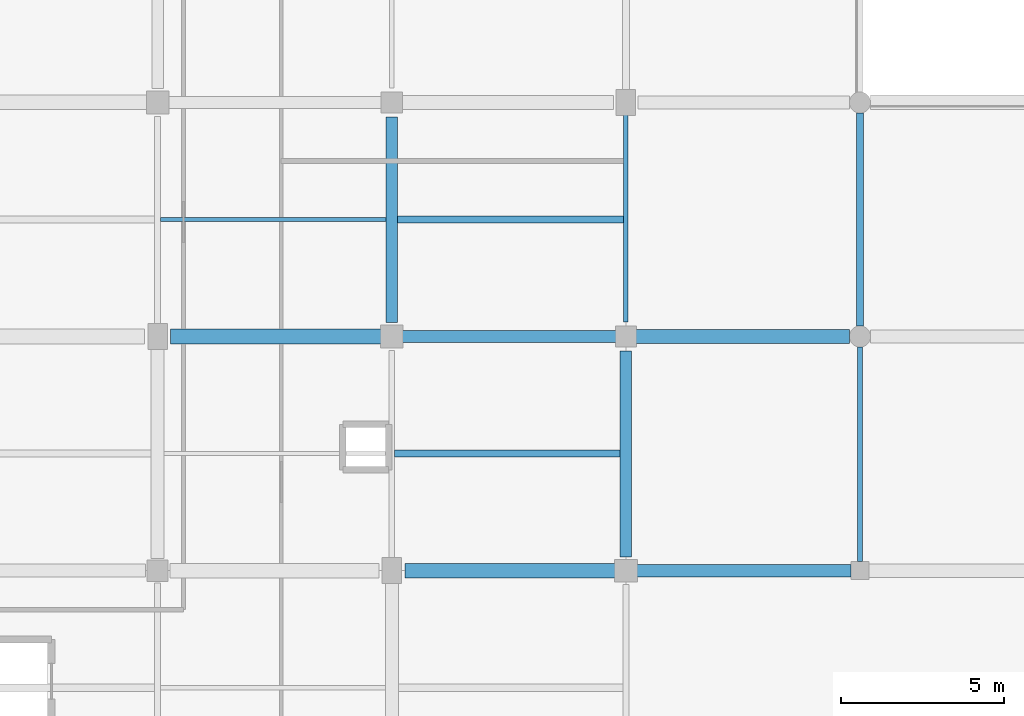
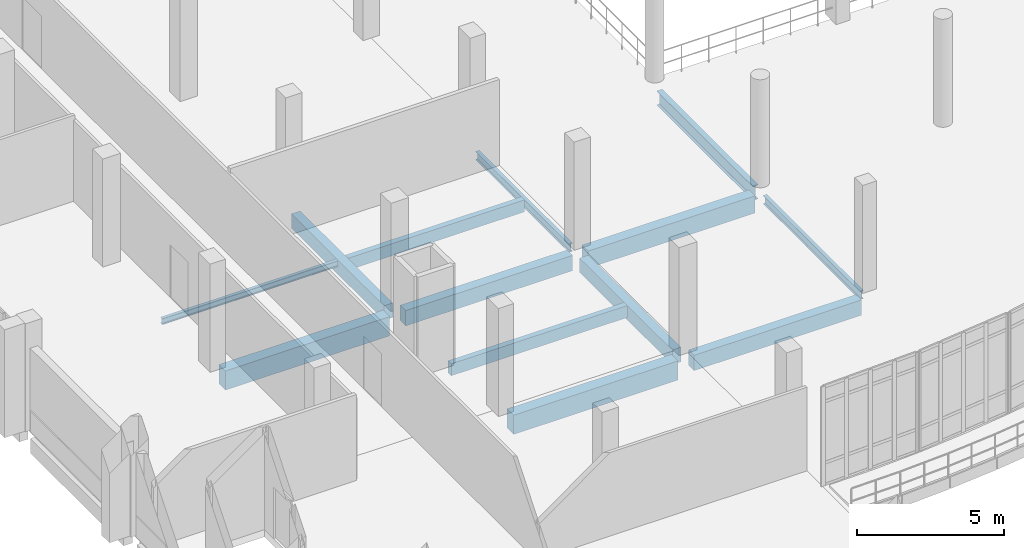
# One storey, part 34 of 124: 13 beams.
"""IFC4 building model written with IfcOpenShell, lengths in metres."""

from ifc_helpers import new_model, si_unit, direction, frame, origin, origin_2d, place, context, subcontext, project, spatial, rectangle, i_section, extrude, material, material_profile, profile_set, type_object, element, save


model = new_model("IFC4")

# Units and contexts
model_context = context("Model", 3, precision=1e-05, world=origin(), true_north=direction((0.0, 1.0)))
body_context = subcontext(model_context, "Body", "Model", "MODEL_VIEW")
ifc_project = project(units=[si_unit("LENGTHUNIT", "METRE"), si_unit("AREAUNIT", "SQUARE_METRE"), si_unit("VOLUMEUNIT", "CUBIC_METRE"), si_unit("PLANEANGLEUNIT", "RADIAN"), si_unit("MASSUNIT", "GRAM", prefix="KILO")], contexts=[model_context])

# Site, building, storey
site_placement = place(None, origin())
site = spatial("IfcSite", under=ifc_project, at=site_placement, CompositionType="ELEMENT")
building_placement = place(site_placement, origin())
building = spatial("IfcBuilding", under=site, at=building_placement, Name="Kalluvel Institute of Natural Sciences", CompositionType="ELEMENT")
storey_placement = place(building_placement, frame((0.0, 0.0, 9.89990234375)))
storey = spatial("IfcBuildingStorey", under=building, at=storey_placement, Name="L02", CompositionType="ELEMENT", Elevation=9.89990234375)

# Beams
ifc_material_1 = material(Name="Steel E350 Grade 350", Category="steel")
ifc_material_profile_1 = material_profile(ifc_material_1, i_section(OverallWidth=0.139892578125, OverallDepth=0.35009765625, WebThickness=0.008056640625, FlangeThickness=0.01416015625, FilletRadius=0.013916015625, at=origin_2d()), Name="ISMB 350")
ifc_profile_set_1 = profile_set([ifc_material_profile_1], Name="Steel E350 Grade 350")
beam_type_1 = type_object("IfcBeamType", Name="BM-ISMB350", PredefinedType="BEAM", material=ifc_profile_set_1)
beam_1_placement = place(storey_placement, frame((35.60009765625, 72.050048828125, -0.474853515625), z_axis=(0.0, 1.0, 0.0), x_axis=(-1.0, 0.0, 0.0)))
element("IfcBeam", 1, at=beam_1_placement, inside=storey, type_object=beam_type_1, Name="L02 girder GIR-L02-NS-X356-Y716", PredefinedType="BEAM", context=body_context, shape_type="SweptSolid", body=[
    extrude(i_section(OverallWidth=0.139892578125, OverallDepth=0.35009765625, WebThickness=0.008056640625, FlangeThickness=0.01416015625, FilletRadius=0.013916015625, at=origin_2d()), origin(), (0.0, 0.0, 1.0), 6.375),
])
beam_2_placement = place(storey_placement, frame((42.800048828125, 64.675048828125, -0.494873046875), z_axis=(0.0, 1.0, 0.0), x_axis=(-1.0, 0.0, 0.0)))
element("IfcBeam", 2, at=beam_2_placement, inside=storey, type_object=beam_type_1, Name="L02 girder GIR-L02-NS-X428-Y644", PredefinedType="BEAM", context=body_context, shape_type="SweptSolid", body=[
    extrude(i_section(OverallWidth=0.139892578125, OverallDepth=0.35009765625, WebThickness=0.008056640625, FlangeThickness=0.01416015625, FilletRadius=0.013916015625, at=origin_2d()), origin(), (0.0, 0.0, 1.0), 6.599853515625),
])
ifc_material_profile_2 = material_profile(ifc_material_1, i_section(OverallWidth=0.2099609375, OverallDepth=0.60009765625, WebThickness=0.011962890625, FlangeThickness=0.020751953125, FilletRadius=0.02001953125, at=origin_2d()), Name="ISMB 600")
ifc_profile_set_2 = profile_set([ifc_material_profile_2], Name="Steel E350 Grade 350")
beam_type_2 = type_object("IfcBeamType", Name="BM-ISMB600", PredefinedType="BEAM", material=ifc_profile_set_2)
beam_3_placement = place(storey_placement, frame((42.800048828125, 71.925048828125, -0.619873046875), z_axis=(0.0, 1.0, 0.0), x_axis=(-1.0, 0.0, 0.0)))
element("IfcBeam", 3, at=beam_3_placement, inside=storey, type_object=beam_type_2, Name="L02 girder GIR-L02-NS-X428-Y716", PredefinedType="BEAM", context=body_context, shape_type="SweptSolid", body=[
    extrude(i_section(OverallWidth=0.2099609375, OverallDepth=0.60009765625, WebThickness=0.011962890625, FlangeThickness=0.020751953125, FilletRadius=0.02001953125, at=origin_2d()), origin(), (0.0, 0.0, 1.0), 6.550048828125),
])
ifc_material_2 = material(Name="Concrete M40", Category="concrete")
ifc_material_profile_3 = material_profile(ifc_material_2, rectangle(XDim=0.35009765625, YDim=0.60009765625, at=origin_2d()), Name="RCB 350x600")
ifc_profile_set_3 = profile_set([ifc_material_profile_3], Name="Concrete M40")
beam_type_3 = type_object("IfcBeamType", Name="BM-RC350x600", PredefinedType="BEAM", material=ifc_profile_set_3)
beam_4_placement = place(storey_placement, frame((28.39990234375, 72.02490234375, -0.599853515625), z_axis=(0.0, 1.0, 0.0), x_axis=(-1.0, 0.0, 0.0)))
element("IfcBeam", 4, at=beam_4_placement, inside=storey, type_object=beam_type_3, Name="L02 girder GIR-L02-NS-X284-Y716", PredefinedType="BEAM", context=body_context, shape_type="SweptSolid", body=[
    extrude(rectangle(XDim=0.35009765625, YDim=0.60009765625, at=origin_2d()), origin(), (0.0, 0.0, 1.0), 6.3251953125),
])
beam_5_placement = place(storey_placement, frame((35.60009765625, 64.824951171875, -0.599853515625), z_axis=(0.0, 1.0, 0.0), x_axis=(-1.0, 0.0, 0.0)))
element("IfcBeam", 5, at=beam_5_placement, inside=storey, type_object=beam_type_3, Name="L02 girder GIR-L02-NS-X356-Y644", PredefinedType="BEAM", context=body_context, shape_type="SweptSolid", body=[
    extrude(rectangle(XDim=0.35009765625, YDim=0.60009765625, at=origin_2d()), origin(), (0.0, 0.0, 1.0), 6.324951171875),
])
ifc_material_profile_4 = material_profile(ifc_material_2, rectangle(XDim=0.3798828125, YDim=0.639892578125, at=origin_2d()), Name="RCB 380x640")
ifc_profile_set_4 = profile_set([ifc_material_profile_4], Name="Concrete M40")
beam_type_4 = type_object("IfcBeamType", Name="BM-RC380x640", PredefinedType="BEAM", material=ifc_profile_set_4)
beam_6_placement = place(storey_placement, frame((35.925048828125, 64.39990234375, -0.639892578125), z_axis=(1.0, 0.0, 0.0), x_axis=(0.0, 1.0, 0.0)))
element("IfcBeam", 6, at=beam_6_placement, inside=storey, type_object=beam_type_4, Name="L02 girder GIR-L02-EW-X356-Y644", PredefinedType="BEAM", context=body_context, shape_type="SweptSolid", body=[
    extrude(rectangle(XDim=0.3798828125, YDim=0.639892578125, at=origin_2d()), origin(), (0.0, 0.0, 1.0), 6.599853515625),
])
beam_7_placement = place(storey_placement, frame((28.72509765625, 71.60009765625, -0.619873046875), z_axis=(1.0, 0.0, 0.0), x_axis=(0.0, 1.0, 0.0)))
element("IfcBeam", 7, at=beam_7_placement, inside=storey, type_object=beam_type_4, Name="L02 girder GIR-L02-EW-X284-Y716", PredefinedType="BEAM", context=body_context, shape_type="SweptSolid", body=[
    extrude(rectangle(XDim=0.3798828125, YDim=0.639892578125, at=origin_2d()), origin(), (0.0, 0.0, 1.0), 6.574951171875),
])
ifc_material_profile_5 = material_profile(ifc_material_2, rectangle(XDim=0.419921875, YDim=0.719970703125, at=origin_2d()), Name="RCB 420x720")
ifc_profile_set_5 = profile_set([ifc_material_profile_5], Name="Concrete M40")
beam_type_5 = type_object("IfcBeamType", Name="BM-RC420x720", PredefinedType="BEAM", material=ifc_profile_set_5)
beam_8_placement = place(storey_placement, frame((35.89990234375, 71.60009765625, -0.679931640625), z_axis=(1.0, 0.0, 0.0), x_axis=(0.0, 1.0, 0.0)))
element("IfcBeam", 8, at=beam_8_placement, inside=storey, type_object=beam_type_5, Name="L02 girder GIR-L02-EW-X356-Y716", PredefinedType="BEAM", context=body_context, shape_type="SweptSolid", body=[
    extrude(rectangle(XDim=0.419921875, YDim=0.719970703125, at=origin_2d()), origin(), (0.0, 0.0, 1.0), 6.5751953125),
])
ifc_material_profile_6 = material_profile(ifc_material_2, rectangle(XDim=0.449951171875, YDim=0.800048828125, at=origin_2d()), Name="RCB 450x800")
ifc_profile_set_6 = profile_set([ifc_material_profile_6], Name="Concrete M40")
beam_type_6 = type_object("IfcBeamType", Name="BM-RC450x800", PredefinedType="BEAM", material=ifc_profile_set_6)
for number, where, z_axis, x_axis, name in (
    (9, (28.800048828125, 64.39990234375, -0.699951171875), (1.0, 0.0, 0.0), (0.0, 1.0, 0.0), "L02 girder GIR-L02-EW-X284-Y644"),
    (10, (21.60009765625, 71.60009765625, -0.699951171875), (1.0, 0.0, 0.0), (0.0, 1.0, 0.0), "L02 girder GIR-L02-EW-X212-Y716"),
):
    element("IfcBeam", number, at=place(storey_placement, frame(where, z_axis=z_axis, x_axis=x_axis)), inside=storey, type_object=beam_type_6, Name=name, PredefinedType="BEAM", context=body_context, shape_type="SweptSolid", body=[
        extrude(rectangle(XDim=0.449951171875, YDim=0.800048828125, at=origin_2d()), origin(), (0.0, 0.0, 1.0), 6.474853515625),
    ])
ifc_material_profile_7 = material_profile(ifc_material_2, rectangle(XDim=0.219970703125, YDim=0.5, at=origin_2d()), Name="WAF 220x500")
ifc_profile_set_7 = profile_set([ifc_material_profile_7], Name="Concrete M40")
beam_type_7 = type_object("IfcBeamType", Name="WJ-220x500", PredefinedType="JOIST", material=ifc_profile_set_7)
beam_9_placement = place(storey_placement, frame((28.489990234375, 68.0, -0.5498046875), z_axis=(1.0, 0.0, 0.0), x_axis=(0.0, 1.0, 0.0)))
element("IfcBeam", 11, at=beam_9_placement, inside=storey, type_object=beam_type_7, Name="L02 floor rib RIB-L02-0673", PredefinedType="JOIST", context=body_context, shape_type="SweptSolid", body=[
    extrude(rectangle(XDim=0.219970703125, YDim=0.5, at=origin_2d()), origin(), (0.0, 0.0, 1.0), 6.93505859375),
])
beam_10_placement = place(storey_placement, frame((28.574951171875, 75.199951171875, -0.5498046875), z_axis=(1.0, 0.0, 0.0), x_axis=(0.0, 1.0, 0.0)))
element("IfcBeam", 12, at=beam_10_placement, inside=storey, type_object=beam_type_7, Name="L02 floor rib RIB-L02-0676", PredefinedType="JOIST", context=body_context, shape_type="SweptSolid", body=[
    extrude(rectangle(XDim=0.219970703125, YDim=0.5, at=origin_2d()), origin(), (0.0, 0.0, 1.0), 6.955078125),
])
ifc_material_profile_8 = material_profile(ifc_material_1, i_section(OverallWidth=0.125, OverallDepth=0.25, WebThickness=0.0068359375, FlangeThickness=0.012451171875, FilletRadius=0.012939453125, at=origin_2d()), Name="ISMB 250")
ifc_profile_set_8 = profile_set([ifc_material_profile_8], Name="Steel E350 Grade 350")
beam_type_8 = type_object("IfcBeamType", Name="WJ-ISMB250", PredefinedType="JOIST", material=ifc_profile_set_8)
beam_11_placement = place(storey_placement, frame((21.2900390625, 75.199951171875, -0.4248046875), z_axis=(1.0, 0.0, 0.0), x_axis=(0.0, 1.0, 0.0)))
element("IfcBeam", 13, at=beam_11_placement, inside=storey, type_object=beam_type_8, Name="L02 floor rib RIB-L02-0675", PredefinedType="JOIST", context=body_context, shape_type="SweptSolid", body=[
    extrude(i_section(OverallWidth=0.125, OverallDepth=0.25, WebThickness=0.0068359375, FlangeThickness=0.012451171875, FilletRadius=0.012939453125, at=origin_2d()), origin(), (0.0, 0.0, 1.0), 6.93505859375),
])

save(model, "model.ifc")
